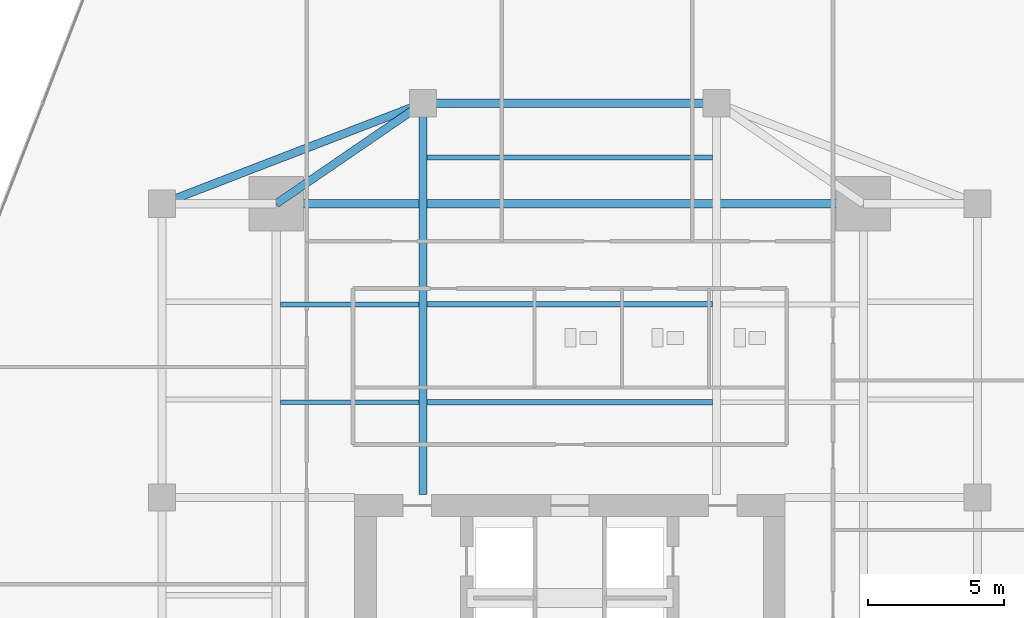
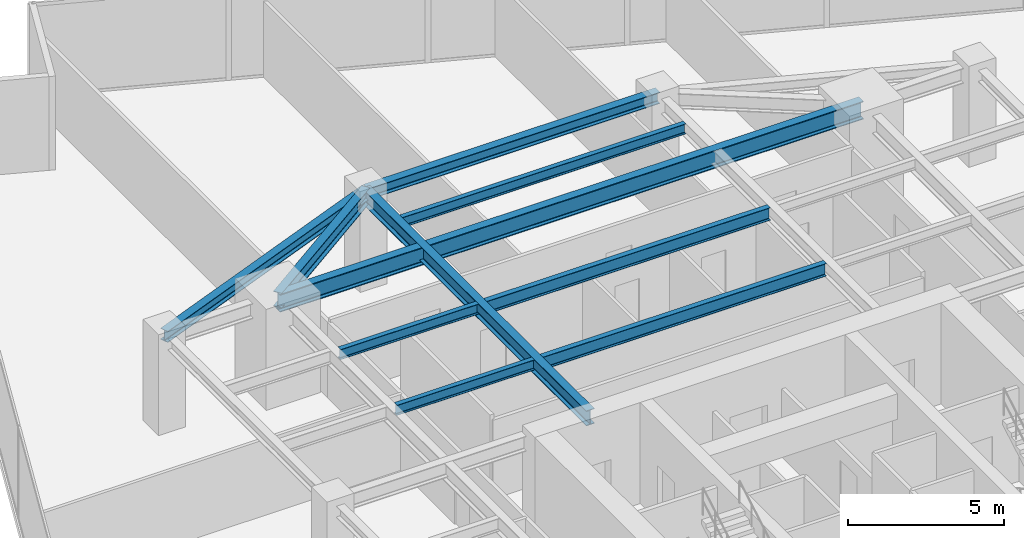
# One storey, part 15 of 26: 10 beams.
"""IFC4 building model written with IfcOpenShell, lengths in metres."""

from ifc_helpers import new_model, si_unit, direction, frame, origin, origin_2d, place, context, subcontext, project, spatial, i_section, extrude, source, transform, mapped, material, material_profile, profile_set, type_object, type_shapes, element, save


model = new_model("IFC4")

# Units and contexts
model_context = context("Model", 3, precision=1e-05, world=origin(), true_north=direction((0.0, 1.0)))
body_context = subcontext(model_context, "Body", "Model", "MODEL_VIEW")
ifc_project = project(units=[si_unit("LENGTHUNIT", "METRE"), si_unit("AREAUNIT", "SQUARE_METRE"), si_unit("VOLUMEUNIT", "CUBIC_METRE"), si_unit("PLANEANGLEUNIT", "RADIAN"), si_unit("MASSUNIT", "GRAM", prefix="KILO")], contexts=[model_context])

# Site, building, storey
site_placement = place(None, origin())
site = spatial("IfcSite", under=ifc_project, at=site_placement, CompositionType="ELEMENT")
building_placement = place(site_placement, origin())
building = spatial("IfcBuilding", under=site, at=building_placement, Name="Krantzveldt Concourse Tower", CompositionType="ELEMENT")
storey_placement = place(building_placement, frame((0.0, 0.0, 129.550048828125)))
storey = spatial("IfcBuildingStorey", under=building, at=storey_placement, Name="L31", CompositionType="ELEMENT", Elevation=129.550048828125)

# Beams
ifc_material_1 = material(Name="Steel S355J2", Category="steel")
ifc_material_profile_1 = material_profile(ifc_material_1, i_section(OverallWidth=0.300048828125, OverallDepth=0.699951171875, WebThickness=0.01708984375, FlangeThickness=0.031982421875, FilletRadius=0.027099609375, at=origin_2d()), Name="Steel S355J2", Category="steel")
ifc_profile_set_1 = profile_set([ifc_material_profile_1], Name="Steel S355J2 - HEB 700")
beam_type_1 = type_object("IfcBeamType", Name="BM-B-HEB700", PredefinedType="BEAM", material=ifc_profile_set_1)
shared_shape_1 = source(origin(), body_context, "Body", "SweptSolid", [
    extrude(i_section(OverallWidth=0.300048828125, OverallDepth=0.699951171875, WebThickness=0.01708984375, FlangeThickness=0.031982421875, FilletRadius=0.027099609375, at=origin_2d()), origin(), (0.0, 0.0, 1.0), 21.60009765625),
])
type_shapes(beam_type_1, [shared_shape_1])
beam_1_placement = place(storey_placement, frame((25.199951171875, 37.5, 3.320068359375), z_axis=(1.0, 0.0, 0.0), x_axis=(0.0, 1.0, 0.0)))
element("IfcBeam", 1, at=beam_1_placement, inside=storey, type_object=beam_type_1, Name="L31 Tower Girder BG-MN", PredefinedType="BEAM", context=body_context, shape_type="MappedRepresentation", body=[
    mapped(shared_shape_1, transform((0.0, 0.0, 0.0), x_axis=(1.0, 0.0, 0.0), y_axis=(0.0, 1.0, 0.0), z_axis=(0.0, 0.0, 1.0), scale=1.0)),
])
ifc_material_2 = material(Name="Steel S355JR", Category="steel")
ifc_material_profile_2 = material_profile(ifc_material_2, i_section(OverallWidth=0.300048828125, OverallDepth=0.590087890625, WebThickness=0.012939453125, FlangeThickness=0.02490234375, FilletRadius=0.027099609375, at=origin_2d()), Name="Steel S355JR", Category="steel")
ifc_profile_set_2 = profile_set([ifc_material_profile_2], Name="Steel S355JR - HEA 600")
beam_type_2 = type_object("IfcBeamType", Name="BM-B-HEA600", PredefinedType="BEAM", material=ifc_profile_set_2)
shared_shape_2 = source(origin(), body_context, "Body", "SweptSolid", [
    extrude(i_section(OverallWidth=0.300048828125, OverallDepth=0.590087890625, WebThickness=0.012939453125, FlangeThickness=0.02490234375, FilletRadius=0.027099609375, at=origin_2d()), origin(), (0.0, 0.0, 1.0), 14.39990234375),
])
beam_2_placement = place(storey_placement, frame((30.60009765625, 26.800048828125, 3.375), z_axis=(0.0, 1.0, 0.0), x_axis=(-1.0, 0.0, 0.0)))
element("IfcBeam", 2, at=beam_2_placement, inside=storey, type_object=beam_type_2, Name="L31 Tower Girder BG-CNW", PredefinedType="BEAM", context=body_context, shape_type="MappedRepresentation", body=[
    mapped(shared_shape_2, transform((0.0, 0.0, 0.0), x_axis=(1.0, 0.0, 0.0), y_axis=(0.0, 1.0, 0.0), z_axis=(0.0, 0.0, 1.0), scale=1.0)),
])
ifc_material_profile_3 = material_profile(ifc_material_2, i_section(OverallWidth=0.300048828125, OverallDepth=0.43994140625, WebThickness=0.011474609375, FlangeThickness=0.02099609375, FilletRadius=0.027099609375, at=origin_2d()), Name="Steel S355JR", Category="steel")
ifc_profile_set_3 = profile_set([ifc_material_profile_3], Name="Steel S355JR - HEA 450")
beam_type_3 = type_object("IfcBeamType", Name="BM-SP-HEA450", PredefinedType="SPANDREL", material=ifc_profile_set_3)
shared_shape_3 = source(origin(), body_context, "Body", "SweptSolid", [
    extrude(i_section(OverallWidth=0.300048828125, OverallDepth=0.43994140625, WebThickness=0.011474609375, FlangeThickness=0.02099609375, FilletRadius=0.027099609375, at=origin_2d()), origin(), (0.0, 0.0, 1.0), 10.288330078125),
])
beam_3_placement = place(storey_placement, frame((21.0, 37.5, 3.449951171875), z_axis=(0.933097690408, 0.359622997257, 0.0), x_axis=(-0.359622997257, 0.933097690408, 0.0)))
element("IfcBeam", 3, at=beam_3_placement, inside=storey, type_object=beam_type_3, Name="L31 Tower Girder SP-R03", PredefinedType="SPANDREL", context=body_context, shape_type="MappedRepresentation", body=[
    mapped(shared_shape_3, transform((0.0, 0.0, 0.0), x_axis=(1.0, 0.0, 0.0), y_axis=(0.0, 1.0, 0.0), z_axis=(0.0, 0.0, 1.0), scale=1.0)),
])
shared_shape_4 = source(origin(), body_context, "Body", "SweptSolid", [
    extrude(i_section(OverallWidth=0.300048828125, OverallDepth=0.43994140625, WebThickness=0.011474609375, FlangeThickness=0.02099609375, FilletRadius=0.027099609375, at=origin_2d()), origin(), (0.0, 0.0, 1.0), 10.7998046875),
])
type_shapes(beam_type_3, [shared_shape_3, shared_shape_4])
beam_4_placement = place(storey_placement, frame((30.60009765625, 41.199951171875, 3.449951171875), z_axis=(1.0, 0.0, 0.0), x_axis=(0.0, 1.0, 0.0)))
element("IfcBeam", 4, at=beam_4_placement, inside=storey, type_object=beam_type_3, Name="L31 Tower Girder SP-R04", PredefinedType="SPANDREL", context=body_context, shape_type="MappedRepresentation", body=[
    mapped(shared_shape_4, transform((0.0, 0.0, 0.0), x_axis=(1.0, 0.0, 0.0), y_axis=(0.0, 1.0, 0.0), z_axis=(0.0, 0.0, 1.0), scale=1.0)),
])
shared_shape_5 = source(origin(), body_context, "Body", "SweptSolid", [
    extrude(i_section(OverallWidth=0.300048828125, OverallDepth=0.590087890625, WebThickness=0.012939453125, FlangeThickness=0.02490234375, FilletRadius=0.027099609375, at=origin_2d()), origin(), (0.0, 0.0, 1.0), 6.546142578125),
])
type_shapes(beam_type_2, [shared_shape_2, shared_shape_5])
beam_5_placement = place(storey_placement, frame((25.199951171875, 37.5, 3.375), z_axis=(0.824942999484, 0.565215930068, 0.0), x_axis=(-0.565215930068, 0.824942999484, 0.0)))
element("IfcBeam", 5, at=beam_5_placement, inside=storey, type_object=beam_type_2, Name="L31 Tower Girder BR-RL4", PredefinedType="BEAM", context=body_context, shape_type="MappedRepresentation", body=[
    mapped(shared_shape_5, transform((0.0, 0.0, 0.0), x_axis=(1.0, 0.0, 0.0), y_axis=(0.0, 1.0, 0.0), z_axis=(0.0, 0.0, 1.0), scale=1.0)),
])
ifc_material_profile_4 = material_profile(ifc_material_2, i_section(OverallWidth=0.199951171875, OverallDepth=0.5, WebThickness=0.01025390625, FlangeThickness=0.01611328125, FilletRadius=0.02099609375, at=origin_2d()), Name="Steel S355JR", Category="steel")
ifc_profile_set_4 = profile_set([ifc_material_profile_4], Name="Steel S355JR - IPE 500")
beam_type_4 = type_object("IfcBeamType", Name="BM-J-IPE500", PredefinedType="JOIST", material=ifc_profile_set_4)
shared_shape_6 = source(origin(), body_context, "Body", "SweptSolid", [
    extrude(i_section(OverallWidth=0.199951171875, OverallDepth=0.5, WebThickness=0.01025390625, FlangeThickness=0.01611328125, FilletRadius=0.02099609375, at=origin_2d()), origin(), (0.0, 0.0, 1.0), 10.5),
])
type_shapes(beam_type_4, [shared_shape_6])
for number, where, z_axis, x_axis, name in (
    (6, (30.75, 30.199951171875, 3.419921875), (1.0, 0.0, 0.0), (0.0, 1.0, 0.0), "L31 Secondary Floor Joist JN-C1"),
    (7, (30.75, 33.800048828125, 3.419921875), (1.0, 0.0, 0.0), (0.0, 1.0, 0.0), "L31 Secondary Floor Joist JN-C2"),
):
    element("IfcBeam", number, at=place(storey_placement, frame(where, z_axis=z_axis, x_axis=x_axis)), inside=storey, type_object=beam_type_4, Name=name, PredefinedType="JOIST", context=body_context, shape_type="MappedRepresentation", body=[
        mapped(shared_shape_6, transform((0.0, 0.0, 0.0), x_axis=(1.0, 0.0, 0.0), y_axis=(0.0, 1.0, 0.0), z_axis=(0.0, 0.0, 1.0), scale=1.0)),
    ])
ifc_material_profile_5 = material_profile(ifc_material_2, i_section(OverallWidth=0.179931640625, OverallDepth=0.39990234375, WebThickness=0.008544921875, FlangeThickness=0.013427734375, FilletRadius=0.02099609375, at=origin_2d()), Name="Steel S355JR", Category="steel")
ifc_profile_set_5 = profile_set([ifc_material_profile_5], Name="Steel S355JR - IPE 400")
beam_type_5 = type_object("IfcBeamType", Name="BM-J-IPE400", PredefinedType="JOIST", material=ifc_profile_set_5)
shared_shape_7 = source(origin(), body_context, "Body", "SweptSolid", [
    extrude(i_section(OverallWidth=0.179931640625, OverallDepth=0.39990234375, WebThickness=0.008544921875, FlangeThickness=0.013427734375, FilletRadius=0.02099609375, at=origin_2d()), origin(), (0.0, 0.0, 1.0), 10.5),
])
beam_6_placement = place(storey_placement, frame((30.75, 39.199951171875, 3.469970703125), z_axis=(1.0, 0.0, 0.0), x_axis=(0.0, 1.0, 0.0)))
element("IfcBeam", 8, at=beam_6_placement, inside=storey, type_object=beam_type_5, Name="L31 Secondary Floor Joist JN-C3", PredefinedType="JOIST", context=body_context, shape_type="MappedRepresentation", body=[
    mapped(shared_shape_7, transform((0.0, 0.0, 0.0), x_axis=(1.0, 0.0, 0.0), y_axis=(0.0, 1.0, 0.0), z_axis=(0.0, 0.0, 1.0), scale=1.0)),
])
shared_shape_8 = source(origin(), body_context, "Body", "SweptSolid", [
    extrude(i_section(OverallWidth=0.179931640625, OverallDepth=0.39990234375, WebThickness=0.008544921875, FlangeThickness=0.013427734375, FilletRadius=0.02099609375, at=origin_2d()), origin(), (0.0, 0.0, 1.0), 5.099853515625),
])
type_shapes(beam_type_5, [shared_shape_7, shared_shape_8])
for number, where, z_axis, x_axis, name in (
    (9, (25.35009765625, 30.199951171875, 3.469970703125), (1.0, 0.0, 0.0), (0.0, 1.0, 0.0), "L31 Secondary Floor Joist JN-W1"),
    (10, (25.35009765625, 33.800048828125, 3.469970703125), (1.0, 0.0, 0.0), (0.0, 1.0, 0.0), "L31 Secondary Floor Joist JN-W2"),
):
    element("IfcBeam", number, at=place(storey_placement, frame(where, z_axis=z_axis, x_axis=x_axis)), inside=storey, type_object=beam_type_5, Name=name, PredefinedType="JOIST", context=body_context, shape_type="MappedRepresentation", body=[
        mapped(shared_shape_8, transform((0.0, 0.0, 0.0), x_axis=(1.0, 0.0, 0.0), y_axis=(0.0, 1.0, 0.0), z_axis=(0.0, 0.0, 1.0), scale=1.0)),
    ])

save(model, "model.ifc")
